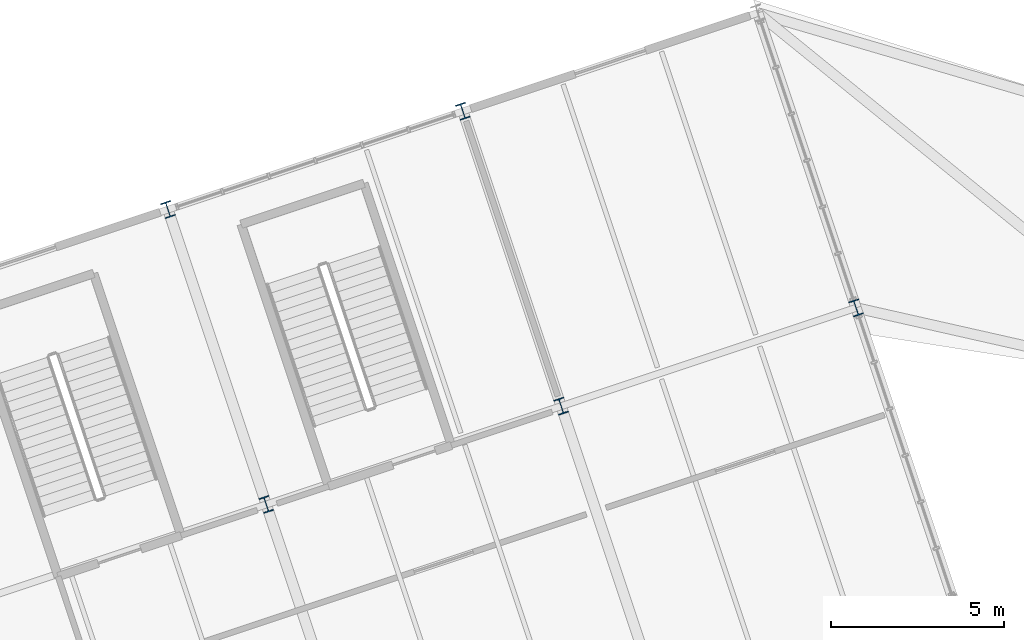
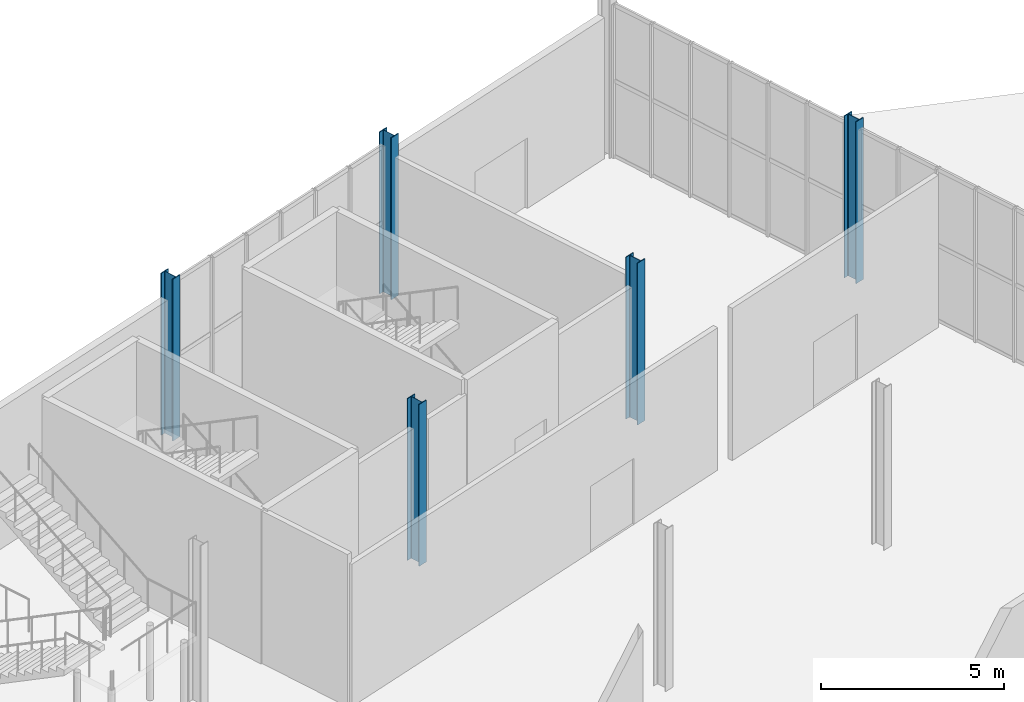
# One storey, part 23 of 158: 5 columns.
"""IFC4 building model written with IfcOpenShell, lengths in metres."""

from ifc_helpers import new_model, si_unit, derived_unit, direction, frame, origin, origin_2d, place, context, subcontext, project, spatial, i_section, extrude, material, material_profile, profile_set, type_object, element, save


model = new_model("IFC4")

# Units and contexts
model_context = context("Model", 3, precision=1e-05, world=origin(), true_north=direction((0.0, 1.0)))
body_context = subcontext(model_context, "Body", "Model", "MODEL_VIEW")
ifc_project = project(units=[si_unit("LENGTHUNIT", "METRE"), si_unit("AREAUNIT", "SQUARE_METRE"), si_unit("VOLUMEUNIT", "CUBIC_METRE"), si_unit("PLANEANGLEUNIT", "RADIAN"), si_unit("MASSUNIT", "GRAM", prefix="KILO"), si_unit("THERMODYNAMICTEMPERATUREUNIT", "KELVIN"), si_unit("TIMEUNIT", "SECOND"), derived_unit("THERMALTRANSMITTANCEUNIT", [(si_unit("MASSUNIT", "GRAM", prefix="KILO"), 1), (si_unit("THERMODYNAMICTEMPERATUREUNIT", "KELVIN"), -1), (si_unit("TIMEUNIT", "SECOND"), -3)])], contexts=[model_context])

# Site, building, storey
site_placement = place(None, origin())
site = spatial("IfcSite", under=ifc_project, at=site_placement, CompositionType="ELEMENT")
building_placement = place(site_placement, origin())
building = spatial("IfcBuilding", under=site, at=building_placement, Name="Cambertide Market Hall", CompositionType="ELEMENT")
storey_placement = place(building_placement, origin())
storey = spatial("IfcBuildingStorey", under=building, at=storey_placement, Name="L01", CompositionType="ELEMENT", Elevation=0.0)

# Columns
ifc_material_1 = material(Name="Steel S355", Category="steel")
ifc_material_profile_1 = material_profile(ifc_material_1, i_section(OverallWidth=0.300048828125, OverallDepth=0.449951171875, WebThickness=0.013916015625, FlangeThickness=0.02587890625, FilletRadius=0.027099609375, at=origin_2d()), Name="HEB 450")
ifc_profile_set_1 = profile_set([ifc_material_profile_1], Name="Steel S355")
column_type_1 = type_object("IfcColumnType", Name="Exterior Steel Column HEB 450", PredefinedType="COLUMN", material=ifc_profile_set_1)
for number, where, z_axis, x_axis, name in (
    (1, (140.152587890625, 51.8447265625, 0.0), (0.0, 0.0, 1.0), (0.94868329805, 0.316227766018, 0.0), "Level 1 Column COL-V3-6-4-L01"),
    (2, (148.690673828125, 54.690673828125, 0.0), (0.0, 0.0, 1.0), (0.94868329805, 0.316227766018, 0.0), "Level 1 Column COL-V3-7-4-L01"),
    (3, (160.074951171875, 48.99853515625, 0.0), (0.0, 0.0, 1.0), (0.94868329805, 0.316227766018, 0.0), "Level 1 Column COL-V3-8-3-L01"),
):
    element("IfcColumn", number, at=place(storey_placement, frame(where, z_axis=z_axis, x_axis=x_axis)), inside=storey, type_object=column_type_1, Name=name, PredefinedType="COLUMN", context=body_context, shape_type="SweptSolid", body=[
        extrude(i_section(OverallWidth=0.300048828125, OverallDepth=0.449951171875, WebThickness=0.013916015625, FlangeThickness=0.02587890625, FilletRadius=0.027099609375, at=origin_2d()), origin(), (0.0, 0.0, 1.0), 5.39990234375),
    ])
ifc_material_2 = material(Name="Steel S355", Category="steel")
ifc_material_profile_2 = material_profile(ifc_material_2, i_section(OverallWidth=0.300048828125, OverallDepth=0.449951171875, WebThickness=0.013916015625, FlangeThickness=0.02587890625, FilletRadius=0.027099609375, at=origin_2d()), Name="HEB 450")
ifc_profile_set_2 = profile_set([ifc_material_profile_2], Name="Steel S355")
column_type_2 = type_object("IfcColumnType", Name="Steel Column HEB 450", PredefinedType="COLUMN", material=ifc_profile_set_2)
for number, where, z_axis, x_axis, name in (
    (4, (142.99853515625, 43.306640625, 0.0), (0.0, 0.0, 1.0), (0.94868329805, 0.316227766018, 0.0), "Level 1 Column COL-V3-6-3-L01"),
    (5, (151.536865234375, 46.152587890625, 0.0), (0.0, 0.0, 1.0), (0.94868329805, 0.316227766018, 0.0), "Level 1 Column COL-V3-7-3-L01"),
):
    element("IfcColumn", number, at=place(storey_placement, frame(where, z_axis=z_axis, x_axis=x_axis)), inside=storey, type_object=column_type_2, Name=name, PredefinedType="COLUMN", context=body_context, shape_type="SweptSolid", body=[
        extrude(i_section(OverallWidth=0.300048828125, OverallDepth=0.449951171875, WebThickness=0.013916015625, FlangeThickness=0.02587890625, FilletRadius=0.027099609375, at=origin_2d()), origin(), (0.0, 0.0, 1.0), 5.39990234375),
    ])

save(model, "model.ifc")
